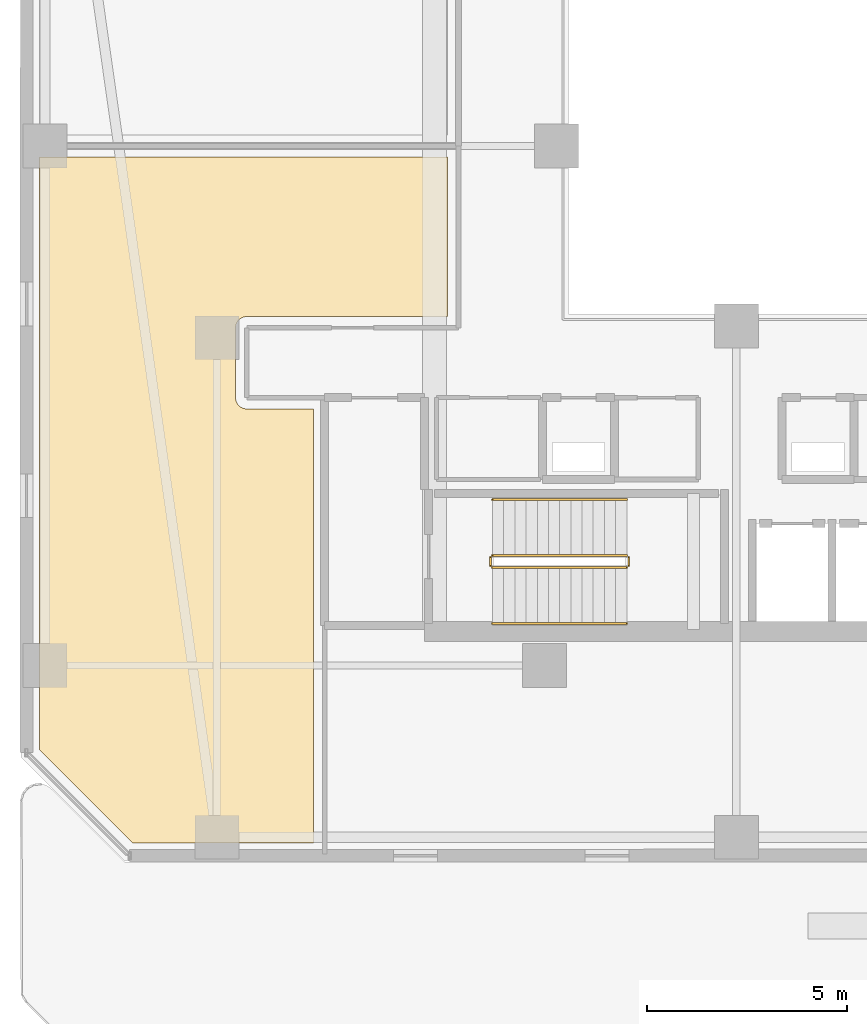
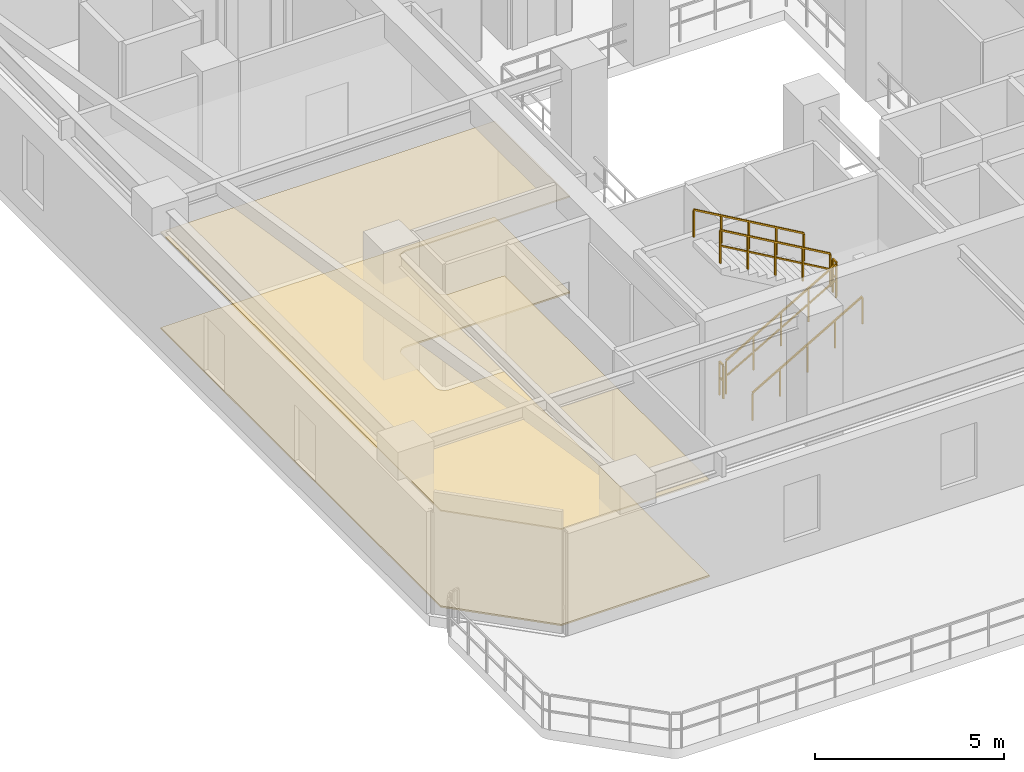
# One storey, part 28 of 33: 6 railings, 2 coverings.
"""IFC4 building model written with IfcOpenShell, lengths in metres."""

import ifcopenshell
import ifcopenshell.guid

model = None  # the IFC model being written
_history = None  # IfcOwnerHistory: only IFC2X3 demands one
_inside = {}  # id of a spatial element -> (the spatial element, [elements in it])
_under = {}  # id of a project, library or spatial element -> (it, [spatial elements below it])
_declared = {}  # id of a project -> (the project, [libraries it declares])
_typed = {}  # id of a type object -> (the type object, [elements of that type])
_made_of = {}  # id of a material, layer set ... -> (it, [elements and type objects made of it])


def new_model(schema):
    """Start an empty IFC model of exactly this schema.

    Asked for "IFC4X3", IfcOpenShell would pick the latest addendum, in which some entities
    have other attributes; the version numbers below select the first issue.
    IFC2X3 requires an IfcOwnerHistory on every rooted entity: one is made here for all.
    """
    global model, _history
    if schema == "IFC4X3":
        model = ifcopenshell.file(schema_version=(4, 3, 0, 0))
    else:
        model = ifcopenshell.file(schema=schema)
    _inside.clear()
    _under.clear()
    _declared.clear()
    _typed.clear()
    _made_of.clear()
    _history = None
    if model.schema == "IFC2X3":
        org = make("IfcOrganization", Name="unknown")
        user = make(
            "IfcPersonAndOrganization",
            ThePerson=make("IfcPerson", FamilyName="unknown"),
            TheOrganization=org,
        )
        app = make(
            "IfcApplication",
            ApplicationDeveloper=org,
            Version="unknown",
            ApplicationFullName="unknown",
            ApplicationIdentifier="unknown",
        )
        _history = make(
            "IfcOwnerHistory",
            OwningUser=user,
            OwningApplication=app,
            ChangeAction="ADDED",
            CreationDate=0,
        )
    return model


def make(cls, **values):
    """One entity of the class cls with the attributes given. An attribute that is None is left unset."""
    return model.create_entity(
        cls, **{name: value for name, value in values.items() if value is not None}
    )


def rooted(cls, **values):
    """An entity with a GlobalId (a new one), such as an element, a storey or a relation."""
    return make(cls, GlobalId=ifcopenshell.guid.new(), OwnerHistory=_history, **values)


def si_unit(unit_type, name, prefix=None):
    """IfcSIUnit, for example si_unit("LENGTHUNIT", "METRE", prefix="MILLI")."""
    return make("IfcSIUnit", UnitType=unit_type, Prefix=prefix, Name=name)


def assignment(units):
    """IfcUnitAssignment: the units of a project."""
    return None if units is None else make("IfcUnitAssignment", Units=units)


def point(xyz):
    """IfcCartesianPoint."""
    return None if xyz is None else make("IfcCartesianPoint", Coordinates=xyz)


def direction(xyz):
    """IfcDirection."""
    return None if xyz is None else make("IfcDirection", DirectionRatios=xyz)


def frame(location, z_axis=None, x_axis=None):
    """IfcAxis2Placement3D, a coordinate frame: its origin and axes. An axis left out is left unset."""
    return make(
        "IfcAxis2Placement3D",
        Location=point(location),
        Axis=direction(z_axis),
        RefDirection=direction(x_axis),
    )


def frame_2d(location, x_axis=None):
    """IfcAxis2Placement2D, a coordinate frame in the plane: its origin and x axis."""
    return make(
        "IfcAxis2Placement2D", Location=point(location), RefDirection=direction(x_axis)
    )


def origin():
    """The frame at (0, 0, 0) with its axes left unset."""
    return frame((0.0, 0.0, 0.0))


def origin_2d():
    """The frame at (0, 0) in the plane with its x axis left unset."""
    return frame_2d((0.0, 0.0))


def place(relative_to, where):
    """IfcLocalPlacement: puts the frame where relative to a parent placement (None: the world)."""
    return make(
        "IfcLocalPlacement", PlacementRelTo=relative_to, RelativePlacement=where
    )


def context(
    kind, dimensions, precision=None, world=None, true_north=None, identifier=None
):
    """IfcGeometricRepresentationContext, for example the 3D "Model" context."""
    return make(
        "IfcGeometricRepresentationContext",
        ContextIdentifier=identifier,
        ContextType=kind,
        CoordinateSpaceDimension=dimensions,
        Precision=precision,
        WorldCoordinateSystem=world,
        TrueNorth=true_north,
    )


def subcontext(parent, identifier, kind, view, scale=None):
    """IfcGeometricRepresentationSubContext, for example "Body" below "Model"."""
    return make(
        "IfcGeometricRepresentationSubContext",
        ContextIdentifier=identifier,
        ContextType=kind,
        ParentContext=parent,
        TargetScale=scale,
        TargetView=view,
    )


def project(units=None, contexts=None):
    """IfcProject with its units and contexts."""
    return rooted(
        "IfcProject",
        Name="project",
        RepresentationContexts=contexts,
        UnitsInContext=assignment(units),
    )


def spatial(cls, under=None, at=None, **own):
    """A site, building, storey or space (cls), placed at a placement, below another one or the project."""
    s = rooted(cls, ObjectPlacement=at, **own)
    if under is not None:
        _under.setdefault(under.id(), (under, []))[1].append(s)
    return s


def polyline(points):
    """IfcPolyline through the points."""
    return make("IfcPolyline", Points=[point(p) for p in points])


def profile(cls, at=None, kind="AREA", **sizes):
    """A parametric profile (cls). Its sizes go by their IFC names, for example OverallWidth=200.0."""
    return make(cls, ProfileType=kind, Position=at, **sizes)


def rectangle(**sizes):
    """IfcRectangleProfileDef."""
    return profile("IfcRectangleProfileDef", **sizes)


def outline(outer, holes=None, kind="AREA"):
    """IfcArbitraryClosedProfileDef: a profile drawn as a closed curve; with holes, ...WithVoids."""
    if holes is None:
        return make("IfcArbitraryClosedProfileDef", ProfileType=kind, OuterCurve=outer)
    return make(
        "IfcArbitraryProfileDefWithVoids",
        ProfileType=kind,
        OuterCurve=outer,
        InnerCurves=holes,
    )


def extrude(swept, where, along, depth):
    """IfcExtrudedAreaSolid: the profile swept, set in the frame where, extruded along a direction by depth."""
    return make(
        "IfcExtrudedAreaSolid",
        SweptArea=swept,
        Position=where,
        ExtrudedDirection=direction(along),
        Depth=depth,
    )


def shape(context_of_items, identifier, shape_type, items):
    """IfcShapeRepresentation: the items that make up one representation, for example the "Body"."""
    return make(
        "IfcShapeRepresentation",
        ContextOfItems=context_of_items,
        RepresentationIdentifier=identifier,
        RepresentationType=shape_type,
        Items=items,
    )


def material(Name=None, Category=None):
    """IfcMaterial."""
    return make("IfcMaterial", Name=Name, Category=Category)


def layer(
    of_material, thickness, ventilated=None, Name=None, Category=None, Priority=None
):
    """IfcMaterialLayer: one layer of a wall or slab, of a material (None: an air gap)."""
    return make(
        "IfcMaterialLayer",
        Material=of_material,
        LayerThickness=thickness,
        IsVentilated=ventilated,
        Name=Name,
        Category=Category,
        Priority=Priority,
    )


def layer_set(layers, Name=None):
    """IfcMaterialLayerSet."""
    return make("IfcMaterialLayerSet", MaterialLayers=layers, LayerSetName=Name)


def made_of(thing, what):
    """Note that an element or type object is made of a material, layer set ...; save() writes the relation."""
    if what is not None:
        _made_of.setdefault(what.id(), (what, []))[1].append(thing)
    return thing


def type_object(cls, material=None, **own):
    """A type object (cls), such as IfcWallType, which elements share."""
    return made_of(rooted(cls, **own), material)


def element(
    cls,
    number,
    at=None,
    inside=None,
    cuts=None,
    type_object=None,
    material=None,
    context=None,
    identifier="Body",
    shape_type=None,
    held_by="IfcProductDefinitionShape",
    body=None,
    shapes=None,
    **own,
):
    """One element of the class cls, such as IfcWall. Its Tag is "e" and its number.

    at: its placement. inside: the storey or other place that contains it. cuts: it is an
    opening in that element (IfcRelVoidsElement). A single representation is given by context,
    identifier, shape_type and body (its items); several are given by shapes. held_by: the class
    of the entity that holds the representations. save() writes the other relations.
    """
    e = rooted(cls, Tag="e%d" % number, ObjectPlacement=at, **own)
    if body is not None:
        shapes = [shape(context, identifier, shape_type, body)]
    if shapes is not None:
        e.Representation = make(held_by, Representations=shapes)
    if inside is not None:
        _inside.setdefault(inside.id(), (inside, []))[1].append(e)
    if cuts is not None:
        rooted(
            "IfcRelVoidsElement", RelatingBuildingElement=cuts, RelatedOpeningElement=e
        )
    if type_object is not None:
        _typed.setdefault(type_object.id(), (type_object, []))[1].append(e)
    return made_of(e, material)


def aggregate(whole, parts):
    """IfcRelAggregates: a whole, such as a stair, and the parts it consists of."""
    return rooted("IfcRelAggregates", RelatingObject=whole, RelatedObjects=parts)


def save(model, path):
    """Write the relations noted so far, then the file.

    IfcRelAggregates (storeys below a building ...), IfcRelContainedInSpatialStructure (elements
    in a storey), IfcRelDefinesByType, IfcRelAssociatesMaterial and IfcRelDeclares: one each for
    every whole, place, type object, material and project.
    """
    for whole, parts in _under.values():
        aggregate(whole, parts)
    for where, things in _inside.values():
        rooted(
            "IfcRelContainedInSpatialStructure",
            RelatedElements=things,
            RelatingStructure=where,
        )
    for kind, things in _typed.values():
        rooted("IfcRelDefinesByType", RelatedObjects=things, RelatingType=kind)
    for what, things in _made_of.values():
        rooted("IfcRelAssociatesMaterial", RelatedObjects=things, RelatingMaterial=what)
    for by, libraries in _declared.values():
        rooted("IfcRelDeclares", RelatingContext=by, RelatedDefinitions=libraries)
    model.write(path)


model = new_model("IFC4")

# Units and contexts
model_context = context("Model", 3, precision=1e-05, world=origin(), true_north=direction((0.0, 1.0)))
body_context = subcontext(model_context, "Body", "Model", "MODEL_VIEW")
ifc_project = project(units=[si_unit("LENGTHUNIT", "METRE"), si_unit("AREAUNIT", "SQUARE_METRE"), si_unit("VOLUMEUNIT", "CUBIC_METRE"), si_unit("PLANEANGLEUNIT", "RADIAN"), si_unit("MASSUNIT", "GRAM", prefix="KILO")], contexts=[model_context])

# Site, building, storey
site_placement = place(None, origin())
site = spatial("IfcSite", under=ifc_project, at=site_placement, CompositionType="ELEMENT")
building_placement = place(site_placement, origin())
building = spatial("IfcBuilding", under=site, at=building_placement, Name="Thornwick Lancets Civic Towers", CompositionType="ELEMENT")
storey_placement = place(building_placement, frame((0.0, 0.0, 174.300048828125)))
storey = spatial("IfcBuildingStorey", under=building, at=storey_placement, Name="L46", CompositionType="ELEMENT", Elevation=174.300048828125)

# Coverings
ifc_material_1 = material(Name="Perforated mineral acoustic ceiling tile")
ifc_layer_1 = layer(ifc_material_1, 0.0400390625, Name="Perforated mineral acoustic ceiling tile")
ifc_layer_set_1 = layer_set([ifc_layer_1], Name="Perforated mineral acoustic ceiling tile")
covering_type_1 = type_object("IfcCoveringType", Name="COV_CEIL_ACOUSTIC", PredefinedType="CEILING", material=ifc_layer_set_1)
covering_1_placement = place(storey_placement, frame((0.0, 0.0, 3.10498046875)))
element("IfcCovering", 1, at=covering_1_placement, inside=storey, type_object=covering_type_1, Name="L46 Tower A Ministry Directorate Office W1 Ceiling", PredefinedType="CEILING", context=body_context, shape_type="SweptSolid", body=[
    extrude(outline(polyline([(8.06005859375, 11.890625), (8.06005859375, 26.719970703125), (18.27001953125, 26.719970703125), (18.27001953125, 22.72998046875), (13.25, 22.72998046875), (13.22265625, 22.728759765625), (13.1953125, 22.724609375), (13.168701171875, 22.718017578125), (13.142822265625, 22.708740234375), (13.117919921875, 22.697021484375), (13.094482421875, 22.682861328125), (13.072509765625, 22.66650390625), (13.052001953125, 22.64794921875), (13.03369140625, 22.627685546875), (13.01708984375, 22.605712890625), (13.003173828125, 22.58203125), (12.9912109375, 22.55712890625), (12.982177734375, 22.53125), (12.975341796875, 22.504638671875), (12.97119140625, 22.477294921875), (12.969970703125, 22.449951171875), (12.969970703125, 20.699951171875), (12.97119140625, 20.672607421875), (12.975341796875, 20.6455078125), (12.982177734375, 20.61865234375), (12.9912109375, 20.5927734375), (13.003173828125, 20.568115234375), (13.01708984375, 20.54443359375), (13.03369140625, 20.5224609375), (13.052001953125, 20.501953125), (13.072509765625, 20.483642578125), (13.094482421875, 20.46728515625), (13.117919921875, 20.453125), (13.142822265625, 20.44140625), (13.168701171875, 20.43212890625), (13.1953125, 20.42529296875), (13.22265625, 20.42138671875), (13.25, 20.419921875), (14.919921875, 20.419921875), (14.919921875, 9.56005859375), (10.390625, 9.56005859375), (8.06005859375, 11.890625)])), origin(), (0.0, 0.0, 1.0), 0.0400390625),
])
ifc_material_2 = material(Name="Calcium-sulfate raised access floor panel")
ifc_layer_2 = layer(ifc_material_2, 0.050048828125, Name="Calcium-sulfate raised access floor panel")
ifc_layer_set_2 = layer_set([ifc_layer_2], Name="Calcium-sulfate raised access floor panel")
covering_type_2 = type_object("IfcCoveringType", Name="COV_FLOOR_RAISED", PredefinedType="FLOORING", material=ifc_layer_set_2)
covering_2_placement = place(storey_placement, origin())
element("IfcCovering", 2, at=covering_2_placement, inside=storey, type_object=covering_type_2, Name="L46 Tower A Ministry Directorate Office W1 Raised Access Flooring", PredefinedType="FLOORING", context=body_context, shape_type="SweptSolid", body=[
    extrude(outline(polyline([(8.06005859375, 11.890625), (8.06005859375, 26.719970703125), (18.27001953125, 26.719970703125), (18.27001953125, 22.72998046875), (13.25, 22.72998046875), (13.22265625, 22.728759765625), (13.1953125, 22.724609375), (13.168701171875, 22.718017578125), (13.142822265625, 22.708740234375), (13.117919921875, 22.697021484375), (13.094482421875, 22.682861328125), (13.072509765625, 22.66650390625), (13.052001953125, 22.64794921875), (13.03369140625, 22.627685546875), (13.01708984375, 22.605712890625), (13.003173828125, 22.58203125), (12.9912109375, 22.55712890625), (12.982177734375, 22.53125), (12.975341796875, 22.504638671875), (12.97119140625, 22.477294921875), (12.969970703125, 22.449951171875), (12.969970703125, 20.699951171875), (12.97119140625, 20.672607421875), (12.975341796875, 20.6455078125), (12.982177734375, 20.61865234375), (12.9912109375, 20.5927734375), (13.003173828125, 20.568115234375), (13.01708984375, 20.54443359375), (13.03369140625, 20.5224609375), (13.052001953125, 20.501953125), (13.072509765625, 20.483642578125), (13.094482421875, 20.46728515625), (13.117919921875, 20.453125), (13.142822265625, 20.44140625), (13.168701171875, 20.43212890625), (13.1953125, 20.42529296875), (13.22265625, 20.42138671875), (13.25, 20.419921875), (14.919921875, 20.419921875), (14.919921875, 9.56005859375), (10.390625, 9.56005859375), (8.06005859375, 11.890625)])), origin(), (0.0, 0.0, 1.0), 0.050048828125),
])

# Railings
ifc_material_3 = material(Name="Brushed stainless steel S355", Category="steel")
railing_type_1 = type_object("IfcRailingType", Name="RAIL_HANDRAIL", PredefinedType="HANDRAIL", material=ifc_material_3)
railing_1_placement = place(storey_placement, frame((19.39990234375, 15.050048828125, 0.161376953125)))
element("IfcRailing", 3, at=railing_1_placement, inside=storey, type_object=railing_type_1, Name="L46 ST-A1 stair handrail 1", PredefinedType="HANDRAIL", context=body_context, shape_type="SweptSolid", body=[
    extrude(rectangle(XDim=0.048095703125, YDim=0.048095703125, at=origin_2d()), frame((0.0, 0.0, 0.8857421875), z_axis=(0.866190824863, 0.0, 0.499713372768), x_axis=(0.0, 1.0, 0.0)), (0.0, 0.0, 1.0), 3.879150390625),
    extrude(rectangle(XDim=0.0419921875, YDim=0.0419921875, at=origin_2d()), origin(), (0.0, 0.0, 1.0), 0.855712890625),
    extrude(rectangle(XDim=0.0419921875, YDim=0.0419921875, at=origin_2d()), frame((0.840087890625, 0.0, 0.484619140625)), (0.0, 0.0, 1.0), 0.855712890625),
    extrude(rectangle(XDim=0.0419921875, YDim=0.0419921875, at=origin_2d()), frame((1.68017578125, 0.0, 0.96923828125)), (0.0, 0.0, 1.0), 0.855712890625),
    extrude(rectangle(XDim=0.0419921875, YDim=0.0419921875, at=origin_2d()), frame((2.52001953125, 0.0, 1.453857421875)), (0.0, 0.0, 1.0), 0.855712890625),
    extrude(rectangle(XDim=0.0419921875, YDim=0.0419921875, at=origin_2d()), frame((3.360107421875, 0.0, 1.9384765625)), (0.0, 0.0, 1.0), 0.855712890625),
])
railing_2_placement = place(storey_placement, frame((22.760009765625, 18.14990234375, 2.261474609375)))
element("IfcRailing", 4, at=railing_2_placement, inside=storey, type_object=railing_type_1, Name="L46 ST-A1 stair handrail 2", PredefinedType="HANDRAIL", context=body_context, shape_type="SweptSolid", body=[
    extrude(rectangle(XDim=0.048095703125, YDim=0.048095703125, at=origin_2d()), frame((0.0, 0.0, 0.8857421875), z_axis=(-0.866190824863, 0.0, 0.499713372768), x_axis=(0.0, -1.0, 0.0)), (0.0, 0.0, 1.0), 3.879150390625),
    extrude(rectangle(XDim=0.0419921875, YDim=0.0419921875, at=origin_2d()), origin(), (0.0, 0.0, 1.0), 0.855712890625),
    extrude(rectangle(XDim=0.0419921875, YDim=0.0419921875, at=origin_2d()), frame((-0.840087890625, 0.0, 0.484619140625)), (0.0, 0.0, 1.0), 0.855712890625),
    extrude(rectangle(XDim=0.0419921875, YDim=0.0419921875, at=origin_2d()), frame((-1.68017578125, 0.0, 0.96923828125)), (0.0, 0.0, 1.0), 0.855712890625),
    extrude(rectangle(XDim=0.0419921875, YDim=0.0419921875, at=origin_2d()), frame((-2.52001953125, 0.0, 1.453857421875)), (0.0, 0.0, 1.0), 0.855712890625),
    extrude(rectangle(XDim=0.0419921875, YDim=0.0419921875, at=origin_2d()), frame((-3.360107421875, 0.0, 1.9384765625)), (0.0, 0.0, 1.0), 0.855712890625),
])
ifc_material_4 = material(Name="Steel S355JR", Category="steel")
railing_type_2 = type_object("IfcRailingType", Name="RAIL_STAIR_GUARD", PredefinedType="GUARDRAIL", material=ifc_material_4)
railing_3_placement = place(storey_placement, frame((19.39990234375, 16.449951171875, 0.161376953125)))
element("IfcRailing", 5, at=railing_3_placement, inside=storey, type_object=railing_type_2, Name="L46 ST-A1 stair guard 1", PredefinedType="GUARDRAIL", context=body_context, shape_type="SweptSolid", body=[
    extrude(rectangle(XDim=0.048095703125, YDim=0.048095703125, at=origin_2d()), frame((0.0, 0.0, 1.076171875), z_axis=(0.866190824863, 0.0, 0.499713372768), x_axis=(0.0, 1.0, 0.0)), (0.0, 0.0, 1.0), 3.879150390625),
    extrude(rectangle(XDim=0.0419921875, YDim=0.0419921875, at=origin_2d()), frame((0.032470703125, 0.0, 0.5908203125), z_axis=(0.866190824863, 0.0, 0.499713372768), x_axis=(0.0, 1.0, 0.0)), (0.0, 0.0, 1.0), 0.894775390625),
    extrude(rectangle(XDim=0.0419921875, YDim=0.0419921875, at=origin_2d()), frame((0.87255859375, 0.0, 1.075439453125), z_axis=(0.866190824863, 0.0, 0.499713372768), x_axis=(0.0, 1.0, 0.0)), (0.0, 0.0, 1.0), 0.894775390625),
    extrude(rectangle(XDim=0.0419921875, YDim=0.0419921875, at=origin_2d()), frame((1.712646484375, 0.0, 1.56005859375), z_axis=(0.866190824863, 0.0, 0.499713372768), x_axis=(0.0, 1.0, 0.0)), (0.0, 0.0, 1.0), 0.894775390625),
    extrude(rectangle(XDim=0.0419921875, YDim=0.0419921875, at=origin_2d()), frame((2.552490234375, 0.0, 2.044677734375), z_axis=(0.866190824863, 0.0, 0.499713372768), x_axis=(0.0, 1.0, 0.0)), (0.0, 0.0, 1.0), 0.894775390625),
    extrude(rectangle(XDim=0.0419921875, YDim=0.0419921875, at=origin_2d()), origin(), (0.0, 0.0, 1.0), 1.0458984375),
    extrude(rectangle(XDim=0.0419921875, YDim=0.0419921875, at=origin_2d()), frame((0.840087890625, 0.0, 0.484619140625)), (0.0, 0.0, 1.0), 1.0458984375),
    extrude(rectangle(XDim=0.0419921875, YDim=0.0419921875, at=origin_2d()), frame((1.68017578125, 0.0, 0.96923828125)), (0.0, 0.0, 1.0), 1.0458984375),
    extrude(rectangle(XDim=0.0419921875, YDim=0.0419921875, at=origin_2d()), frame((2.52001953125, 0.0, 1.453857421875)), (0.0, 0.0, 1.0), 1.0458984375),
    extrude(rectangle(XDim=0.0419921875, YDim=0.0419921875, at=origin_2d()), frame((3.360107421875, 0.0, 1.9384765625)), (0.0, 0.0, 1.0), 1.0458984375),
])
railing_4_placement = place(storey_placement, frame((22.81005859375, 16.5, 2.099853515625)))
element("IfcRailing", 6, at=railing_4_placement, inside=storey, type_object=railing_type_2, Name="L46 ST-A1 stair guard 2", PredefinedType="GUARDRAIL", context=body_context, shape_type="SweptSolid", body=[
    extrude(rectangle(XDim=0.048095703125, YDim=0.048095703125, at=origin_2d()), frame((0.0, 0.0, 1.076171875), z_axis=(0.0, 1.0, 0.0), x_axis=(-1.0, 0.0, 0.0)), (0.0, 0.0, 1.0), 0.199951171875),
    extrude(rectangle(XDim=0.0419921875, YDim=0.0419921875, at=origin_2d()), frame((0.0, 0.03759765625, 0.572021484375), z_axis=(0.0, 1.0, 0.0), x_axis=(-1.0, 0.0, 0.0)), (0.0, 0.0, 1.0), 0.125),
    extrude(rectangle(XDim=0.0419921875, YDim=0.0419921875, at=origin_2d()), origin(), (0.0, 0.0, 1.0), 1.0458984375),
    extrude(rectangle(XDim=0.0419921875, YDim=0.0419921875, at=origin_2d()), frame((0.0, 0.199951171875, 0.0)), (0.0, 0.0, 1.0), 1.0458984375),
])
railing_5_placement = place(storey_placement, frame((22.760009765625, 16.75, 2.261474609375)))
element("IfcRailing", 7, at=railing_5_placement, inside=storey, type_object=railing_type_2, Name="L46 ST-A1 stair guard 3", PredefinedType="GUARDRAIL", context=body_context, shape_type="SweptSolid", body=[
    extrude(rectangle(XDim=0.048095703125, YDim=0.048095703125, at=origin_2d()), frame((0.0, 0.0, 1.076171875), z_axis=(-0.866190824863, 0.0, 0.499713372768), x_axis=(0.0, -1.0, 0.0)), (0.0, 0.0, 1.0), 3.879150390625),
    extrude(rectangle(XDim=0.0419921875, YDim=0.0419921875, at=origin_2d()), frame((-0.032470703125, 0.0, 0.5908203125), z_axis=(-0.866190824863, 0.0, 0.499713372768), x_axis=(0.0, -1.0, 0.0)), (0.0, 0.0, 1.0), 0.894775390625),
    extrude(rectangle(XDim=0.0419921875, YDim=0.0419921875, at=origin_2d()), frame((-0.87255859375, 0.0, 1.075439453125), z_axis=(-0.866190824863, 0.0, 0.499713372768), x_axis=(0.0, -1.0, 0.0)), (0.0, 0.0, 1.0), 0.894775390625),
    extrude(rectangle(XDim=0.0419921875, YDim=0.0419921875, at=origin_2d()), frame((-1.712646484375, 0.0, 1.56005859375), z_axis=(-0.866190824863, 0.0, 0.499713372768), x_axis=(0.0, -1.0, 0.0)), (0.0, 0.0, 1.0), 0.894775390625),
    extrude(rectangle(XDim=0.0419921875, YDim=0.0419921875, at=origin_2d()), frame((-2.552490234375, 0.0, 2.044677734375), z_axis=(-0.866190824863, 0.0, 0.499713372768), x_axis=(0.0, -1.0, 0.0)), (0.0, 0.0, 1.0), 0.894775390625),
    extrude(rectangle(XDim=0.0419921875, YDim=0.0419921875, at=origin_2d()), origin(), (0.0, 0.0, 1.0), 1.0458984375),
    extrude(rectangle(XDim=0.0419921875, YDim=0.0419921875, at=origin_2d()), frame((-0.840087890625, 0.0, 0.484619140625)), (0.0, 0.0, 1.0), 1.0458984375),
    extrude(rectangle(XDim=0.0419921875, YDim=0.0419921875, at=origin_2d()), frame((-1.68017578125, 0.0, 0.96923828125)), (0.0, 0.0, 1.0), 1.0458984375),
    extrude(rectangle(XDim=0.0419921875, YDim=0.0419921875, at=origin_2d()), frame((-2.52001953125, 0.0, 1.453857421875)), (0.0, 0.0, 1.0), 1.0458984375),
    extrude(rectangle(XDim=0.0419921875, YDim=0.0419921875, at=origin_2d()), frame((-3.360107421875, 0.0, 1.9384765625)), (0.0, 0.0, 1.0), 1.0458984375),
])
railing_6_placement = place(storey_placement, frame((19.35009765625, 16.5, 0.0)))
element("IfcRailing", 8, at=railing_6_placement, inside=storey, type_object=railing_type_2, Name="L46 ST-A1 stair guard 4", PredefinedType="GUARDRAIL", context=body_context, shape_type="SweptSolid", body=[
    extrude(rectangle(XDim=0.048095703125, YDim=0.048095703125, at=origin_2d()), frame((0.0, 0.0, 1.076171875), z_axis=(0.0, 1.0, 0.0), x_axis=(-1.0, 0.0, 0.0)), (0.0, 0.0, 1.0), 0.199951171875),
    extrude(rectangle(XDim=0.0419921875, YDim=0.0419921875, at=origin_2d()), frame((0.0, 0.03759765625, 0.572021484375), z_axis=(0.0, 1.0, 0.0), x_axis=(-1.0, 0.0, 0.0)), (0.0, 0.0, 1.0), 0.125),
    extrude(rectangle(XDim=0.0419921875, YDim=0.0419921875, at=origin_2d()), origin(), (0.0, 0.0, 1.0), 1.0458984375),
    extrude(rectangle(XDim=0.0419921875, YDim=0.0419921875, at=origin_2d()), frame((0.0, 0.199951171875, 0.0)), (0.0, 0.0, 1.0), 1.0458984375),
])

save(model, "model.ifc")
